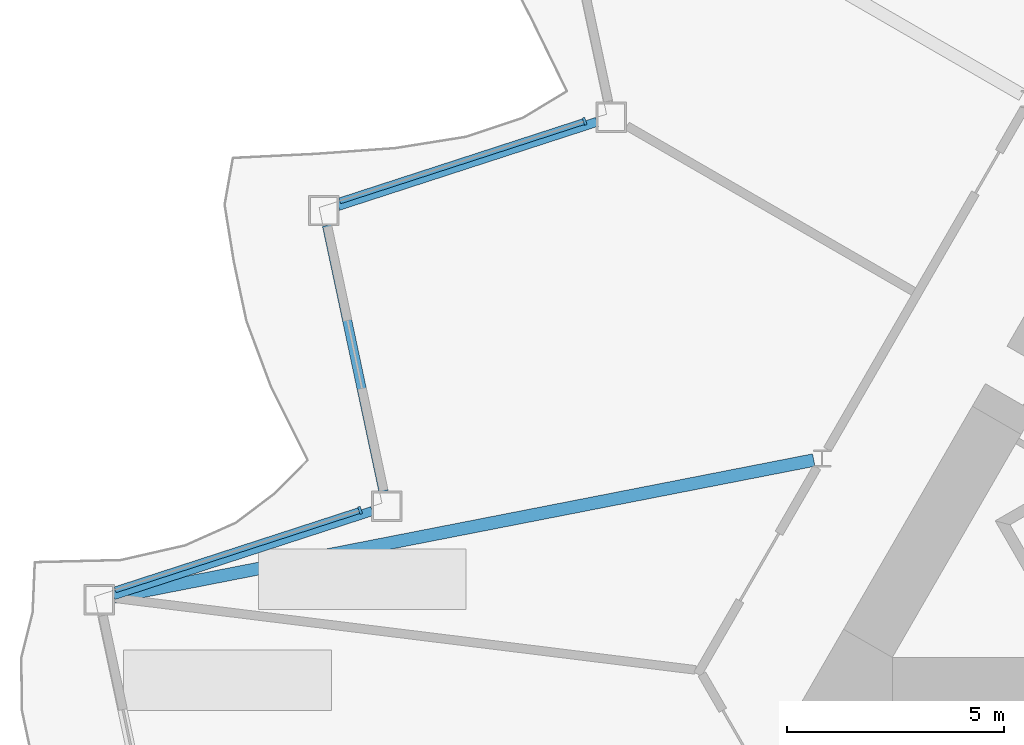
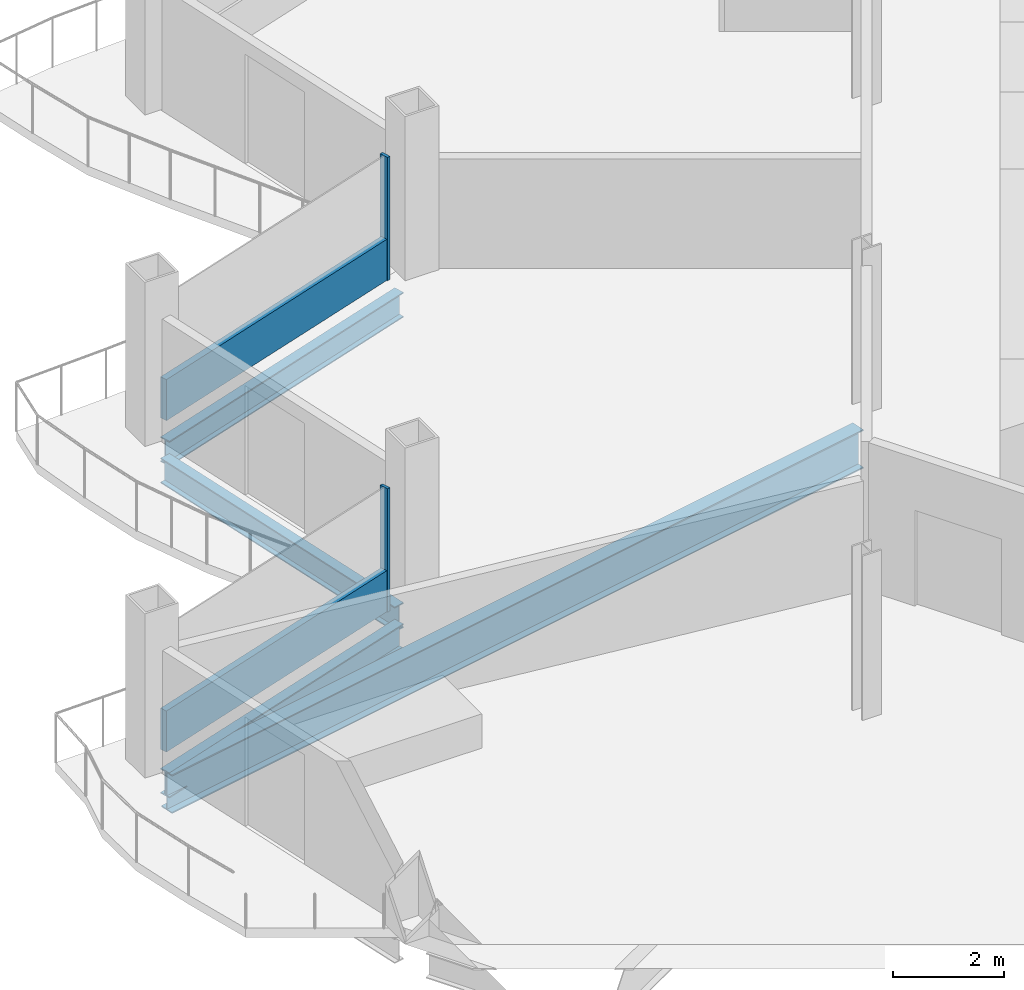
# One storey, part 5 of 24: 4 beams, 4 members, 2 elements without a shape of their own.
"""IFC4 building model written with IfcOpenShell, lengths in metres."""

from ifc_helpers import new_model, si_unit, direction, frame, origin, origin_2d, place, context, subcontext, project, spatial, rectangle, i_section, extrude, material, layer, layer_set, material_profile, profile_set, type_object, element, aggregate, save


model = new_model("IFC4")

# Units and contexts
model_context = context("Model", 3, precision=1e-05, world=origin(), true_north=direction((0.0, 1.0)))
body_context = subcontext(model_context, "Body", "Model", "MODEL_VIEW")
ifc_project = project(units=[si_unit("LENGTHUNIT", "METRE"), si_unit("AREAUNIT", "SQUARE_METRE"), si_unit("VOLUMEUNIT", "CUBIC_METRE"), si_unit("PLANEANGLEUNIT", "RADIAN"), si_unit("MASSUNIT", "GRAM", prefix="KILO")], contexts=[model_context])

# Site, building, storey
site_placement = place(None, origin())
site = spatial("IfcSite", under=ifc_project, at=site_placement, CompositionType="ELEMENT")
building_placement = place(site_placement, origin())
building = spatial("IfcBuilding", under=site, at=building_placement, Name="Cormorant Prow Tower", CompositionType="ELEMENT")
storey_placement = place(building_placement, frame((0.0, 0.0, 274.199951171875)))
storey = spatial("IfcBuildingStorey", under=building, at=storey_placement, Name="L62", CompositionType="ELEMENT", Elevation=274.199951171875)

# Curtain wall, member
ifc_material_1 = material(Name="Aluminium 6063-T6", Category="aluminium")
ifc_layer = layer(ifc_material_1, 0.179931640625)
ifc_layer_set = layer_set([ifc_layer], Name="Aluminium 6063-T6")
curtain_wall_type = type_object("IfcCurtainWallType", Name="Hotel unitised curtain wall 180", PredefinedType="NOTDEFINED", material=ifc_layer_set)
curtain_wall_1_placement = place(storey_placement, origin())
curtain_wall_1 = element("IfcCurtainWall", 1, at=curtain_wall_1_placement, inside=storey, type_object=curtain_wall_type, Name="Hotel curtain wall WNW06", PredefinedType="NOTDEFINED")
ifc_material_2 = material(Name="Aluminium 6063-T6", Category="aluminium")
ifc_material_profile_1 = material_profile(ifc_material_2, rectangle(XDim=0.179931640625, YDim=0.06005859375, at=origin_2d()), Name="Hotel mullion 60x180")
ifc_profile_set_1 = profile_set([ifc_material_profile_1], Name="Aluminium 6063-T6")
member_type_1 = type_object("IfcMemberType", Name="Hotel mullion 60x180", PredefinedType="MULLION", material=ifc_profile_set_1)
member_1_placement = place(storey_placement, frame((-19.852294921875, 5.0185546875, 0.0), z_axis=(0.0, 0.0, 1.0), x_axis=(0.309016992698, -0.95105651684, 0.0)))
member_1 = element("IfcMember", 2, at=member_1_placement, type_object=member_type_1, Name="Hotel mullion WNW06", PredefinedType="MULLION", context=body_context, shape_type="SweptSolid", body=[
    extrude(rectangle(XDim=0.179931640625, YDim=0.06005859375, at=origin_2d()), origin(), (0.0, 0.0, 1.0), 2.700927734375),
])

curtain_wall_2_placement = place(storey_placement, origin())
curtain_wall_2 = element("IfcCurtainWall", 3, at=curtain_wall_2_placement, inside=storey, type_object=curtain_wall_type, Name="Hotel curtain wall WNW08", PredefinedType="NOTDEFINED")
member_2_placement = place(storey_placement, frame((-25.037353515625, -3.96240234375, 0.0), z_axis=(0.0, 0.0, 1.0), x_axis=(0.309016992698, -0.95105651684, 0.0)))
member_2 = element("IfcMember", 4, at=member_2_placement, type_object=member_type_1, Name="Hotel mullion WNW08", PredefinedType="MULLION", context=body_context, shape_type="SweptSolid", body=[
    extrude(rectangle(XDim=0.179931640625, YDim=0.06005859375, at=origin_2d()), origin(), (0.0, 0.0, 1.0), 2.700927734375),
])

# Member
ifc_material_3 = material(Name="Terracotta", Category="masonry")
ifc_material_profile_2 = material_profile(ifc_material_3, rectangle(XDim=0.139892578125, YDim=0.89990234375, at=origin_2d()), Name="Hotel terracotta spandrel rail 140x900")
ifc_profile_set_2 = profile_set([ifc_material_profile_2], Name="Terracotta")
member_type_2 = type_object("IfcMemberType", Name="Hotel terracotta spandrel rail 140x900", PredefinedType="USERDEFINED", material=ifc_profile_set_2)
member_3_placement = place(storey_placement, frame((-19.880615234375, 5.00927734375, 0.449951171875), z_axis=(-0.951061968074, -0.309000215022, 0.0), x_axis=(0.309000215022, -0.951061968074, 0.0)))
member_3 = element("IfcMember", 5, at=member_3_placement, type_object=member_type_2, Name="Hotel spandrel rail WNW06", ObjectType="TRANSOM", PredefinedType="USERDEFINED", context=body_context, shape_type="SweptSolid", body=[
    extrude(rectangle(XDim=0.139892578125, YDim=0.89990234375, at=origin_2d()), origin(), (0.0, 0.0, 1.0), 5.91552734375),
])

aggregate(curtain_wall_1, [member_1, member_3])

member_4_placement = place(storey_placement, frame((-25.06591796875, -3.9716796875, 0.449951171875), z_axis=(-0.951061968074, -0.309000215022, 0.0), x_axis=(0.309000215022, -0.951061968074, 0.0)))
member_4 = element("IfcMember", 6, at=member_4_placement, type_object=member_type_2, Name="Hotel spandrel rail WNW08", ObjectType="TRANSOM", PredefinedType="USERDEFINED", context=body_context, shape_type="SweptSolid", body=[
    extrude(rectangle(XDim=0.139892578125, YDim=0.89990234375, at=origin_2d()), origin(), (0.0, 0.0, 1.0), 5.91552734375),
])

aggregate(curtain_wall_2, [member_2, member_4])

# Beams
ifc_material_4 = material(Name="Structural steel ASTM A992 Gr 50", Category="steel")
ifc_material_profile_3 = material_profile(ifc_material_4, i_section(OverallWidth=0.29296875, OverallDepth=0.845703125, WebThickness=0.015380859375, FlangeThickness=0.0244140625, at=origin_2d()), Name="W33x141")
ifc_profile_set_3 = profile_set([ifc_material_profile_3], Name="Structural steel ASTM A992 Gr 50")
beam_type_1 = type_object("IfcBeamType", Name="Radial floor beam W33x141", PredefinedType="BEAM", material=ifc_profile_set_3)
beam_placement = place(storey_placement, frame((-14.5634765625, -2.80322265625, -0.77294921875), z_axis=(-0.981419133752, -0.191876220269, 0.0), x_axis=(0.191876220269, -0.981419133752, 0.0)))
element("IfcBeam", 7, at=beam_placement, inside=storey, type_object=beam_type_1, Name="Radial floor beam FB2 4 L62", PredefinedType="BEAM", context=body_context, shape_type="SweptSolid", body=[
    extrude(i_section(OverallWidth=0.29296875, OverallDepth=0.845703125, WebThickness=0.015380859375, FlangeThickness=0.0244140625, at=origin_2d()), origin(), (0.0, 0.0, 1.0), 16.462158203125),
])
ifc_material_5 = material(Name="Structural steel ASTM A992 Gr 50", Category="steel")
ifc_material_profile_4 = material_profile(ifc_material_5, i_section(OverallWidth=0.2138671875, OverallDepth=0.549072265625, WebThickness=0.0146484375, FlangeThickness=0.023681640625, at=origin_2d()), Name="W21x93")
ifc_profile_set_4 = profile_set([ifc_material_profile_4], Name="Structural steel ASTM A992 Gr 50")
beam_type_2 = type_object("IfcBeamType", Name="Spandrel beam W21x93", PredefinedType="SPANDREL", material=ifc_profile_set_4)
for number, where, z_axis, x_axis, name in (
    (8, (-19.568115234375, 5.00634765625, -0.62451171875), (-0.951061771288, -0.309000820701, 0.0), (0.309000820701, -0.951061771288, 0.0), "Spandrel beam SB2 WNW06-WNW07 L62"),
    (9, (-25.80224609375, 2.61474609375, -0.62451171875), (0.207941499013, -0.978141264331, 0.0), (0.978141264331, 0.207941499013, 0.0), "Spandrel beam SB2 WNW07-WNW08 L62"),
    (10, (-24.75634765625, -3.97998046875, -0.62451171875), (-0.951061771288, -0.309000820701, 0.0), (0.309000820701, -0.951061771288, 0.0), "Spandrel beam SB2 WNW08-WNW09 L62"),
):
    element("IfcBeam", number, at=place(storey_placement, frame(where, z_axis=z_axis, x_axis=x_axis)), inside=storey, type_object=beam_type_2, Name=name, PredefinedType="SPANDREL", context=body_context, shape_type="SweptSolid", body=[
        extrude(i_section(OverallWidth=0.2138671875, OverallDepth=0.549072265625, WebThickness=0.0146484375, FlangeThickness=0.023681640625, at=origin_2d()), origin(), (0.0, 0.0, 1.0), 6.28125),
    ])

save(model, "model.ifc")
